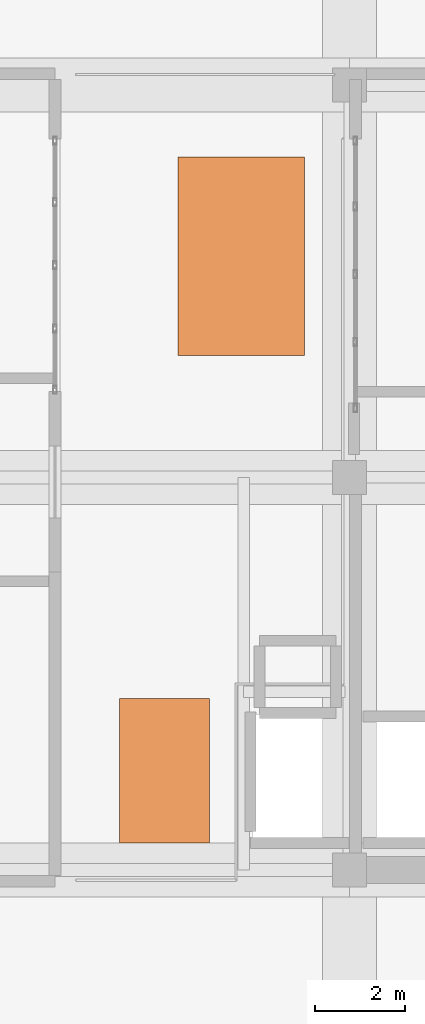
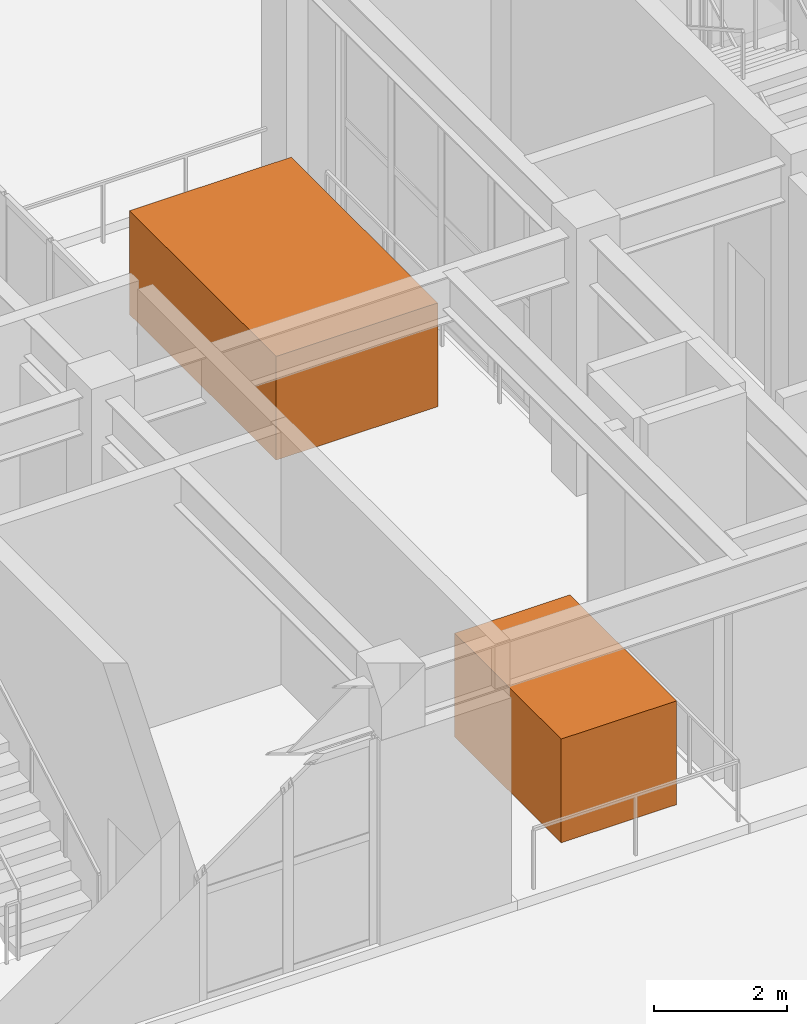
# One storey, part 16 of 16: 2 proxies.
"""IFC4 building model written with IfcOpenShell, lengths in metres."""

from ifc_helpers import new_model, si_unit, direction, frame, origin, origin_2d, place, context, subcontext, project, spatial, rectangle, extrude, material, type_object, element, save


model = new_model("IFC4")

# Units and contexts
model_context = context("Model", 3, precision=1e-05, world=origin(), true_north=direction((0.0, 1.0)))
body_context = subcontext(model_context, "Body", "Model", "MODEL_VIEW")
ifc_project = project(units=[si_unit("LENGTHUNIT", "METRE"), si_unit("AREAUNIT", "SQUARE_METRE"), si_unit("VOLUMEUNIT", "CUBIC_METRE"), si_unit("PLANEANGLEUNIT", "RADIAN"), si_unit("MASSUNIT", "GRAM", prefix="KILO")], contexts=[model_context])

# Site, building, storey
site_placement = place(None, origin())
site = spatial("IfcSite", under=ifc_project, at=site_placement, CompositionType="ELEMENT")
building_placement = place(site_placement, origin())
building = spatial("IfcBuilding", under=site, at=building_placement, Name="Solanera Arch Residences", CompositionType="ELEMENT")
storey_placement = place(building_placement, frame((0.0, 0.0, 278.080078125)))
storey = spatial("IfcBuildingStorey", under=building, at=storey_placement, Name="L80", CompositionType="ELEMENT", Elevation=278.080078125)

# Proxies
ifc_material = material(Name="Steel S355 (ASTM A992 / A572 Grade 50)", Category="steel")
building_element_proxy_type = type_object("IfcBuildingElementProxyType", Name="Crown BMU and Heat Recovery Plant Unit EQ-BMU", PredefinedType="USERDEFINED", material=ifc_material)
proxy_1_placement = place(storey_placement, frame((25.10009765625, 24.199951171875, 0.0), z_axis=(0.0, 0.0, 1.0), x_axis=(1.0, 0.0, 0.0)))
element("IfcBuildingElementProxy", 1, at=proxy_1_placement, inside=storey, type_object=building_element_proxy_type, Name="L80 Crown BMU Gondola and Make-Up Air Plant Unit 1", ObjectType="PLANT", PredefinedType="USERDEFINED", context=body_context, shape_type="SweptSolid", body=[
    extrude(rectangle(XDim=2.0, YDim=3.199951171875, at=origin_2d()), origin(), (0.0, 0.0, 1.0), 1.89990234375),
])
proxy_2_placement = place(storey_placement, frame((26.800048828125, 35.60009765625, 0.0), z_axis=(0.0, 0.0, 1.0), x_axis=(1.0, 0.0, 0.0)))
element("IfcBuildingElementProxy", 2, at=proxy_2_placement, inside=storey, type_object=building_element_proxy_type, Name="L80 Crown BMU Gondola and Make-Up Air Plant Unit 2", ObjectType="PLANT", PredefinedType="USERDEFINED", context=body_context, shape_type="SweptSolid", body=[
    extrude(rectangle(XDim=2.800048828125, YDim=4.39990234375, at=origin_2d()), origin(), (0.0, 0.0, 1.0), 1.89990234375),
])

save(model, "model.ifc")
